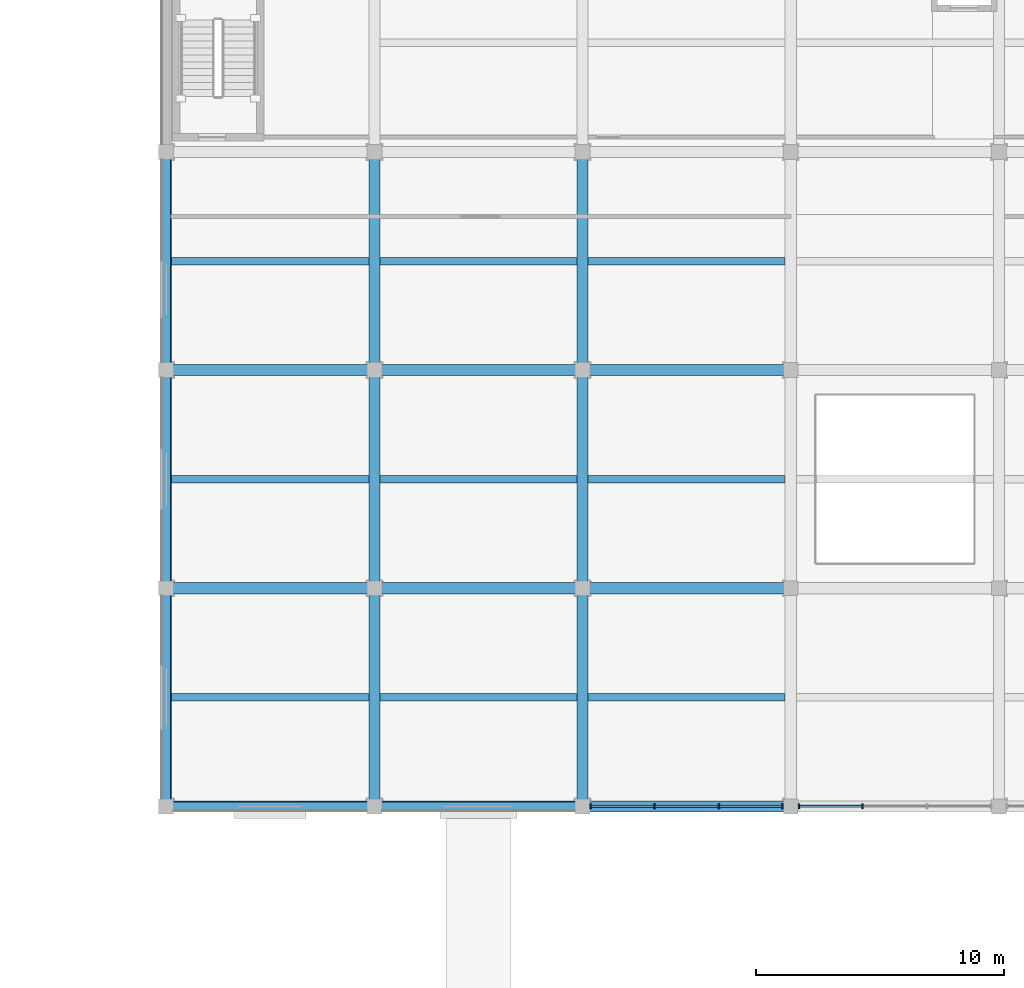
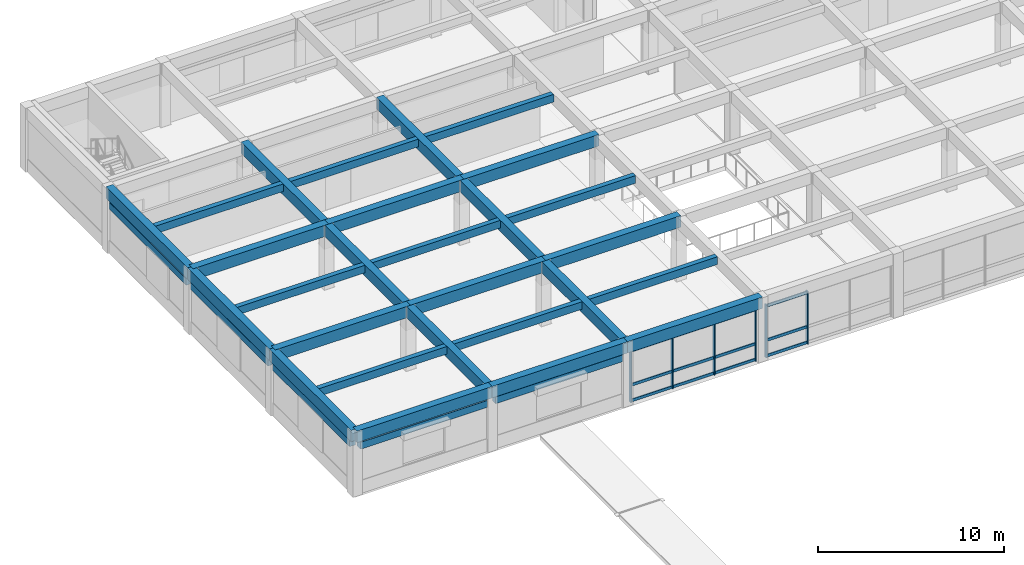
# One storey, part 12 of 46: 32 beams, 18 members, 2 elements without a shape of their own.
"""IFC4 building model written with IfcOpenShell, lengths in metres."""

from ifc_helpers import new_model, si_unit, direction, frame, origin, origin_2d, place, context, subcontext, project, spatial, rectangle, extrude, material, material_profile, profile_set, type_object, element, aggregate, save


model = new_model("IFC4")

# Units and contexts
model_context = context("Model", 3, precision=1e-05, world=origin(), true_north=direction((0.0, 1.0)))
body_context = subcontext(model_context, "Body", "Model", "MODEL_VIEW")
ifc_project = project(units=[si_unit("LENGTHUNIT", "METRE"), si_unit("AREAUNIT", "SQUARE_METRE"), si_unit("VOLUMEUNIT", "CUBIC_METRE"), si_unit("PLANEANGLEUNIT", "RADIAN"), si_unit("MASSUNIT", "GRAM", prefix="KILO")], contexts=[model_context])

# Site, building, storey
site_placement = place(None, origin())
site = spatial("IfcSite", under=ifc_project, at=site_placement, CompositionType="ELEMENT")
building_placement = place(site_placement, origin())
building = spatial("IfcBuilding", under=site, at=building_placement, Name="Kemercrest Conservatory and Botanical Centre", CompositionType="ELEMENT")
storey_placement = place(building_placement, frame((0.0, 0.0, 9.0)))
storey = spatial("IfcBuildingStorey", under=building, at=storey_placement, Name="L02", CompositionType="ELEMENT", Elevation=9.0)

# Beams
ifc_material_1 = material(Name="Concrete C40/50", Category="concrete")
ifc_material_profile_1 = material_profile(ifc_material_1, rectangle(XDim=0.449951171875, YDim=0.75, at=origin_2d()), Name="RC 450x750")
ifc_profile_set_1 = profile_set([ifc_material_profile_1], Name="Concrete C40/50")
beam_type_1 = type_object("IfcBeamType", Name="BM-RC75", PredefinedType="BEAM", material=ifc_profile_set_1)
beam_1_placement = place(storey_placement, frame((16.39990234375, 96.0, 3.824951171875), z_axis=(1.0, 0.0, 0.0), x_axis=(0.0, 1.0, 0.0)))
element("IfcBeam", 1, at=beam_1_placement, inside=storey, type_object=beam_type_1, Name="V3-L03 beam BM-RC75 L/02-03", PredefinedType="BEAM", context=body_context, shape_type="SweptSolid", body=[
    extrude(rectangle(XDim=0.449951171875, YDim=0.75, at=origin_2d()), origin(), (0.0, 0.0, 1.0), 8.400146484375),
])
beam_2_placement = place(storey_placement, frame((24.800048828125, 96.0, 3.824951171875), z_axis=(1.0, 0.0, 0.0), x_axis=(0.0, 1.0, 0.0)))
element("IfcBeam", 2, at=beam_2_placement, inside=storey, type_object=beam_type_1, Name="V3-L03 beam BM-RC75 L/03-04", PredefinedType="BEAM", context=body_context, shape_type="SweptSolid", body=[
    extrude(rectangle(XDim=0.449951171875, YDim=0.75, at=origin_2d()), origin(), (0.0, 0.0, 1.0), 8.39990234375),
])
for number, where, z_axis, x_axis, name in (
    (3, (33.199951171875, 96.0, 3.824951171875), (1.0, 0.0, 0.0), (0.0, 1.0, 0.0), "V3-L03 beam BM-RC75 L/04-05"),
    (4, (16.39990234375, 104.800048828125, 3.824951171875), (1.0, 0.0, 0.0), (0.0, 1.0, 0.0), "V3-L03 beam BM-RC75 M/02-03"),
):
    element("IfcBeam", number, at=place(storey_placement, frame(where, z_axis=z_axis, x_axis=x_axis)), inside=storey, type_object=beam_type_1, Name=name, PredefinedType="BEAM", context=body_context, shape_type="SweptSolid", body=[
        extrude(rectangle(XDim=0.449951171875, YDim=0.75, at=origin_2d()), origin(), (0.0, 0.0, 1.0), 8.400146484375),
    ])
beam_3_placement = place(storey_placement, frame((24.800048828125, 104.800048828125, 3.824951171875), z_axis=(1.0, 0.0, 0.0), x_axis=(0.0, 1.0, 0.0)))
element("IfcBeam", 5, at=beam_3_placement, inside=storey, type_object=beam_type_1, Name="V3-L03 beam BM-RC75 M/03-04", PredefinedType="BEAM", context=body_context, shape_type="SweptSolid", body=[
    extrude(rectangle(XDim=0.449951171875, YDim=0.75, at=origin_2d()), origin(), (0.0, 0.0, 1.0), 8.39990234375),
])
beam_4_placement = place(storey_placement, frame((33.199951171875, 104.800048828125, 3.824951171875), z_axis=(1.0, 0.0, 0.0), x_axis=(0.0, 1.0, 0.0)))
element("IfcBeam", 6, at=beam_4_placement, inside=storey, type_object=beam_type_1, Name="V3-L03 beam BM-RC75 M/04-05", PredefinedType="BEAM", context=body_context, shape_type="SweptSolid", body=[
    extrude(rectangle(XDim=0.449951171875, YDim=0.75, at=origin_2d()), origin(), (0.0, 0.0, 1.0), 8.400146484375),
])
for number, where, z_axis, x_axis, name in (
    (7, (24.800048828125, 87.199951171875, 3.824951171875), (0.0, 1.0, 0.0), (-1.0, 0.0, 0.0), "V3-L03 beam BM-RC75 03/K-L"),
    (8, (24.800048828125, 96.0, 3.824951171875), (0.0, 1.0, 0.0), (-1.0, 0.0, 0.0), "V3-L03 beam BM-RC75 03/L-M"),
    (9, (24.800048828125, 104.800048828125, 3.824951171875), (0.0, 1.0, 0.0), (-1.0, 0.0, 0.0), "V3-L03 beam BM-RC75 03/M-N"),
    (10, (33.199951171875, 87.199951171875, 3.824951171875), (0.0, 1.0, 0.0), (-1.0, 0.0, 0.0), "V3-L03 beam BM-RC75 04/K-L"),
    (11, (33.199951171875, 96.0, 3.824951171875), (0.0, 1.0, 0.0), (-1.0, 0.0, 0.0), "V3-L03 beam BM-RC75 04/L-M"),
    (12, (33.199951171875, 104.800048828125, 3.824951171875), (0.0, 1.0, 0.0), (-1.0, 0.0, 0.0), "V3-L03 beam BM-RC75 04/M-N"),
):
    element("IfcBeam", number, at=place(storey_placement, frame(where, z_axis=z_axis, x_axis=x_axis)), inside=storey, type_object=beam_type_1, Name=name, PredefinedType="BEAM", context=body_context, shape_type="SweptSolid", body=[
        extrude(rectangle(XDim=0.449951171875, YDim=0.75, at=origin_2d()), origin(), (0.0, 0.0, 1.0), 8.800048828125),
    ])

# Curtain wall, members
ifc_material_2 = material(Name="Thermally broken aluminium and triple low-e glazing", Category="aluminium")
curtain_wall_type_1 = type_object("IfcCurtainWallType", Name="CW-08", PredefinedType="USERDEFINED", material=ifc_material_2)
curtain_wall_1_placement = place(storey_placement, origin())
curtain_wall_1 = element("IfcCurtainWall", 13, at=curtain_wall_1_placement, inside=storey, type_object=curtain_wall_type_1, Name="Unitised curtain wall CW-08 (CW:L02:V3-037)", ObjectType="UNITISED CURTAIN WALL", PredefinedType="USERDEFINED")
ifc_material_3 = material(Name="Thermally broken anodized aluminium 6063-T6", Category="aluminium")
ifc_material_profile_2 = material_profile(ifc_material_3, rectangle(XDim=0.199951171875, YDim=0.06494140625, at=origin_2d()), Name="AL MULLION 65x200")
ifc_profile_set_2 = profile_set([ifc_material_profile_2], Name="Thermally broken anodized aluminium 6063-T6")
member_type_1 = type_object("IfcMemberType", Name="CW-M200", PredefinedType="MULLION", material=ifc_profile_set_2)
member_1_placement = place(storey_placement, frame((33.527587890625, 87.199951171875, 0.0), z_axis=(0.0, 0.0, 1.0), x_axis=(0.0, 1.0, 0.0)))
member_1 = element("IfcMember", 14, at=member_1_placement, type_object=member_type_1, Name="CW-08 mullion 1", PredefinedType="MULLION", context=body_context, shape_type="SweptSolid", body=[
    extrude(rectangle(XDim=0.199951171875, YDim=0.06494140625, at=origin_2d()), origin(), (0.0, 0.0, 1.0), 3.455078125),
])
member_2_placement = place(storey_placement, frame((36.098388671875, 87.199951171875, 0.0), z_axis=(0.0, 0.0, 1.0), x_axis=(0.0, 1.0, 0.0)))
member_2 = element("IfcMember", 15, at=member_2_placement, type_object=member_type_1, Name="CW-08 mullion 2", PredefinedType="MULLION", context=body_context, shape_type="SweptSolid", body=[
    extrude(rectangle(XDim=0.199951171875, YDim=0.06494140625, at=origin_2d()), origin(), (0.0, 0.0, 1.0), 3.455078125),
])
member_3_placement = place(storey_placement, frame((38.70166015625, 87.199951171875, 0.0), z_axis=(0.0, 0.0, 1.0), x_axis=(0.0, 1.0, 0.0)))
member_3 = element("IfcMember", 16, at=member_3_placement, type_object=member_type_1, Name="CW-08 mullion 3", PredefinedType="MULLION", context=body_context, shape_type="SweptSolid", body=[
    extrude(rectangle(XDim=0.199951171875, YDim=0.06494140625, at=origin_2d()), origin(), (0.0, 0.0, 1.0), 3.455078125),
])
member_4_placement = place(storey_placement, frame((41.2724609375, 87.199951171875, 0.0), z_axis=(0.0, 0.0, 1.0), x_axis=(0.0, 1.0, 0.0)))
member_4 = element("IfcMember", 17, at=member_4_placement, type_object=member_type_1, Name="CW-08 mullion 4", PredefinedType="MULLION", context=body_context, shape_type="SweptSolid", body=[
    extrude(rectangle(XDim=0.199951171875, YDim=0.06494140625, at=origin_2d()), origin(), (0.0, 0.0, 1.0), 3.455078125),
])

curtain_wall_type_2 = type_object("IfcCurtainWallType", Name="CW-09", PredefinedType="USERDEFINED", material=ifc_material_2)
curtain_wall_2_placement = place(storey_placement, origin())
curtain_wall_2 = element("IfcCurtainWall", 18, at=curtain_wall_2_placement, inside=storey, type_object=curtain_wall_type_2, Name="Unitised curtain wall CW-09 (CW:L02:V3-038)", ObjectType="UNITISED CURTAIN WALL", PredefinedType="USERDEFINED")
member_5_placement = place(storey_placement, frame((41.927490234375, 87.199951171875, 0.0), z_axis=(0.0, 0.0, 1.0), x_axis=(0.0, 1.0, 0.0)))
member_5 = element("IfcMember", 19, at=member_5_placement, type_object=member_type_1, Name="CW-09 mullion 1", PredefinedType="MULLION", context=body_context, shape_type="SweptSolid", body=[
    extrude(rectangle(XDim=0.199951171875, YDim=0.06494140625, at=origin_2d()), origin(), (0.0, 0.0, 1.0), 3.455078125),
])
member_6_placement = place(storey_placement, frame((44.498291015625, 87.199951171875, 0.0), z_axis=(0.0, 0.0, 1.0), x_axis=(0.0, 1.0, 0.0)))
member_6 = element("IfcMember", 20, at=member_6_placement, type_object=member_type_1, Name="CW-09 mullion 2", PredefinedType="MULLION", context=body_context, shape_type="SweptSolid", body=[
    extrude(rectangle(XDim=0.199951171875, YDim=0.06494140625, at=origin_2d()), origin(), (0.0, 0.0, 1.0), 3.455078125),
])

# Member
ifc_material_profile_3 = material_profile(ifc_material_3, rectangle(XDim=0.074951171875, YDim=0.179931640625, at=origin_2d()), Name="AL TRANSOM 75x180")
ifc_profile_set_3 = profile_set([ifc_material_profile_3], Name="Thermally broken anodized aluminium 6063-T6")
member_type_2 = type_object("IfcMemberType", Name="CW-T180", PredefinedType="USERDEFINED", material=ifc_profile_set_3)
member_7_placement = place(storey_placement, frame((33.56005859375, 87.199951171875, 0.090087890625), z_axis=(1.0, 0.0, 0.0), x_axis=(0.0, 1.0, 0.0)))
member_7 = element("IfcMember", 21, at=member_7_placement, type_object=member_type_2, Name="CW-08 transom 1.1", ObjectType="TRANSOM", PredefinedType="USERDEFINED", context=body_context, shape_type="SweptSolid", body=[
    extrude(rectangle(XDim=0.074951171875, YDim=0.179931640625, at=origin_2d()), origin(), (0.0, 0.0, 1.0), 2.505859375),
])

member_8_placement = place(storey_placement, frame((33.56005859375, 87.199951171875, 1.1201171875), z_axis=(1.0, 0.0, 0.0), x_axis=(0.0, 1.0, 0.0)))
member_8 = element("IfcMember", 22, at=member_8_placement, type_object=member_type_2, Name="CW-08 transom 1.2", ObjectType="TRANSOM", PredefinedType="USERDEFINED", context=body_context, shape_type="SweptSolid", body=[
    extrude(rectangle(XDim=0.074951171875, YDim=0.179931640625, at=origin_2d()), origin(), (0.0, 0.0, 1.0), 2.505859375),
])

member_9_placement = place(storey_placement, frame((33.56005859375, 87.199951171875, 3.364990234375), z_axis=(1.0, 0.0, 0.0), x_axis=(0.0, 1.0, 0.0)))
member_9 = element("IfcMember", 23, at=member_9_placement, type_object=member_type_2, Name="CW-08 transom 1.3", ObjectType="TRANSOM", PredefinedType="USERDEFINED", context=body_context, shape_type="SweptSolid", body=[
    extrude(rectangle(XDim=0.074951171875, YDim=0.179931640625, at=origin_2d()), origin(), (0.0, 0.0, 1.0), 2.505859375),
])

member_10_placement = place(storey_placement, frame((36.130859375, 87.199951171875, 0.090087890625), z_axis=(1.0, 0.0, 0.0), x_axis=(0.0, 1.0, 0.0)))
member_10 = element("IfcMember", 24, at=member_10_placement, type_object=member_type_2, Name="CW-08 transom 2.1", ObjectType="TRANSOM", PredefinedType="USERDEFINED", context=body_context, shape_type="SweptSolid", body=[
    extrude(rectangle(XDim=0.074951171875, YDim=0.179931640625, at=origin_2d()), origin(), (0.0, 0.0, 1.0), 2.538330078125),
])

member_11_placement = place(storey_placement, frame((36.130859375, 87.199951171875, 1.1201171875), z_axis=(1.0, 0.0, 0.0), x_axis=(0.0, 1.0, 0.0)))
member_11 = element("IfcMember", 25, at=member_11_placement, type_object=member_type_2, Name="CW-08 transom 2.2", ObjectType="TRANSOM", PredefinedType="USERDEFINED", context=body_context, shape_type="SweptSolid", body=[
    extrude(rectangle(XDim=0.074951171875, YDim=0.179931640625, at=origin_2d()), origin(), (0.0, 0.0, 1.0), 2.538330078125),
])

member_12_placement = place(storey_placement, frame((36.130859375, 87.199951171875, 3.364990234375), z_axis=(1.0, 0.0, 0.0), x_axis=(0.0, 1.0, 0.0)))
member_12 = element("IfcMember", 26, at=member_12_placement, type_object=member_type_2, Name="CW-08 transom 2.3", ObjectType="TRANSOM", PredefinedType="USERDEFINED", context=body_context, shape_type="SweptSolid", body=[
    extrude(rectangle(XDim=0.074951171875, YDim=0.179931640625, at=origin_2d()), origin(), (0.0, 0.0, 1.0), 2.538330078125),
])

member_13_placement = place(storey_placement, frame((38.734130859375, 87.199951171875, 0.090087890625), z_axis=(1.0, 0.0, 0.0), x_axis=(0.0, 1.0, 0.0)))
member_13 = element("IfcMember", 27, at=member_13_placement, type_object=member_type_2, Name="CW-08 transom 3.1", ObjectType="TRANSOM", PredefinedType="USERDEFINED", context=body_context, shape_type="SweptSolid", body=[
    extrude(rectangle(XDim=0.074951171875, YDim=0.179931640625, at=origin_2d()), origin(), (0.0, 0.0, 1.0), 2.505859375),
])

member_14_placement = place(storey_placement, frame((38.734130859375, 87.199951171875, 1.1201171875), z_axis=(1.0, 0.0, 0.0), x_axis=(0.0, 1.0, 0.0)))
member_14 = element("IfcMember", 28, at=member_14_placement, type_object=member_type_2, Name="CW-08 transom 3.2", ObjectType="TRANSOM", PredefinedType="USERDEFINED", context=body_context, shape_type="SweptSolid", body=[
    extrude(rectangle(XDim=0.074951171875, YDim=0.179931640625, at=origin_2d()), origin(), (0.0, 0.0, 1.0), 2.505859375),
])

member_15_placement = place(storey_placement, frame((38.734130859375, 87.199951171875, 3.364990234375), z_axis=(1.0, 0.0, 0.0), x_axis=(0.0, 1.0, 0.0)))
member_15 = element("IfcMember", 29, at=member_15_placement, type_object=member_type_2, Name="CW-08 transom 3.3", ObjectType="TRANSOM", PredefinedType="USERDEFINED", context=body_context, shape_type="SweptSolid", body=[
    extrude(rectangle(XDim=0.074951171875, YDim=0.179931640625, at=origin_2d()), origin(), (0.0, 0.0, 1.0), 2.505859375),
])

aggregate(curtain_wall_1, [member_1, member_2, member_3, member_4, member_7, member_8, member_9, member_10, member_11, member_12, member_13, member_14, member_15])

member_16_placement = place(storey_placement, frame((41.9599609375, 87.199951171875, 0.090087890625), z_axis=(1.0, 0.0, 0.0), x_axis=(0.0, 1.0, 0.0)))
member_16 = element("IfcMember", 30, at=member_16_placement, type_object=member_type_2, Name="CW-09 transom 1.1", ObjectType="TRANSOM", PredefinedType="USERDEFINED", context=body_context, shape_type="SweptSolid", body=[
    extrude(rectangle(XDim=0.074951171875, YDim=0.179931640625, at=origin_2d()), origin(), (0.0, 0.0, 1.0), 2.505859375),
])

member_17_placement = place(storey_placement, frame((41.9599609375, 87.199951171875, 1.1201171875), z_axis=(1.0, 0.0, 0.0), x_axis=(0.0, 1.0, 0.0)))
member_17 = element("IfcMember", 31, at=member_17_placement, type_object=member_type_2, Name="CW-09 transom 1.2", ObjectType="TRANSOM", PredefinedType="USERDEFINED", context=body_context, shape_type="SweptSolid", body=[
    extrude(rectangle(XDim=0.074951171875, YDim=0.179931640625, at=origin_2d()), origin(), (0.0, 0.0, 1.0), 2.505859375),
])

member_18_placement = place(storey_placement, frame((41.9599609375, 87.199951171875, 3.364990234375), z_axis=(1.0, 0.0, 0.0), x_axis=(0.0, 1.0, 0.0)))
member_18 = element("IfcMember", 32, at=member_18_placement, type_object=member_type_2, Name="CW-09 transom 1.3", ObjectType="TRANSOM", PredefinedType="USERDEFINED", context=body_context, shape_type="SweptSolid", body=[
    extrude(rectangle(XDim=0.074951171875, YDim=0.179931640625, at=origin_2d()), origin(), (0.0, 0.0, 1.0), 2.505859375),
])

aggregate(curtain_wall_2, [member_5, member_6, member_16, member_17, member_18])

# Beams
ifc_material_profile_4 = material_profile(ifc_material_1, rectangle(XDim=0.300048828125, YDim=0.5, at=origin_2d()), Name="RC 300x500")
ifc_profile_set_4 = profile_set([ifc_material_profile_4], Name="Concrete C40/50")
beam_type_2 = type_object("IfcBeamType", Name="JS-RC50", PredefinedType="JOIST", material=ifc_profile_set_4)
beam_5_placement = place(storey_placement, frame((16.625, 91.60009765625, 3.949951171875), z_axis=(1.0, 0.0, 0.0), x_axis=(0.0, 1.0, 0.0)))
element("IfcBeam", 33, at=beam_5_placement, inside=storey, type_object=beam_type_2, Name="V3-L03 secondary joist JS-RC50", PredefinedType="JOIST", context=body_context, shape_type="SweptSolid", body=[
    extrude(rectangle(XDim=0.300048828125, YDim=0.5, at=origin_2d()), origin(), (0.0, 0.0, 1.0), 7.949951171875),
])
beam_6_placement = place(storey_placement, frame((25.02490234375, 91.60009765625, 3.949951171875), z_axis=(1.0, 0.0, 0.0), x_axis=(0.0, 1.0, 0.0)))
element("IfcBeam", 34, at=beam_6_placement, inside=storey, type_object=beam_type_2, Name="V3-L03 secondary joist JS-RC50", PredefinedType="JOIST", context=body_context, shape_type="SweptSolid", body=[
    extrude(rectangle(XDim=0.300048828125, YDim=0.5, at=origin_2d()), origin(), (0.0, 0.0, 1.0), 7.9501953125),
])
for number, where, z_axis, x_axis, name in (
    (35, (33.425048828125, 91.60009765625, 3.949951171875), (1.0, 0.0, 0.0), (0.0, 1.0, 0.0), "V3-L03 secondary joist JS-RC50"),
    (36, (16.625, 100.39990234375, 3.949951171875), (1.0, 0.0, 0.0), (0.0, 1.0, 0.0), "V3-L03 secondary joist JS-RC50"),
):
    element("IfcBeam", number, at=place(storey_placement, frame(where, z_axis=z_axis, x_axis=x_axis)), inside=storey, type_object=beam_type_2, Name=name, PredefinedType="JOIST", context=body_context, shape_type="SweptSolid", body=[
        extrude(rectangle(XDim=0.300048828125, YDim=0.5, at=origin_2d()), origin(), (0.0, 0.0, 1.0), 7.949951171875),
    ])
beam_7_placement = place(storey_placement, frame((25.02490234375, 100.39990234375, 3.949951171875), z_axis=(1.0, 0.0, 0.0), x_axis=(0.0, 1.0, 0.0)))
element("IfcBeam", 37, at=beam_7_placement, inside=storey, type_object=beam_type_2, Name="V3-L03 secondary joist JS-RC50", PredefinedType="JOIST", context=body_context, shape_type="SweptSolid", body=[
    extrude(rectangle(XDim=0.300048828125, YDim=0.5, at=origin_2d()), origin(), (0.0, 0.0, 1.0), 7.9501953125),
])
for number, where, z_axis, x_axis, name in (
    (38, (33.425048828125, 100.39990234375, 3.949951171875), (1.0, 0.0, 0.0), (0.0, 1.0, 0.0), "V3-L03 secondary joist JS-RC50"),
    (39, (16.625, 109.199951171875, 3.949951171875), (1.0, 0.0, 0.0), (0.0, 1.0, 0.0), "V3-L03 secondary joist JS-RC50"),
):
    element("IfcBeam", number, at=place(storey_placement, frame(where, z_axis=z_axis, x_axis=x_axis)), inside=storey, type_object=beam_type_2, Name=name, PredefinedType="JOIST", context=body_context, shape_type="SweptSolid", body=[
        extrude(rectangle(XDim=0.300048828125, YDim=0.5, at=origin_2d()), origin(), (0.0, 0.0, 1.0), 7.949951171875),
    ])
beam_8_placement = place(storey_placement, frame((25.02490234375, 109.199951171875, 3.949951171875), z_axis=(1.0, 0.0, 0.0), x_axis=(0.0, 1.0, 0.0)))
element("IfcBeam", 40, at=beam_8_placement, inside=storey, type_object=beam_type_2, Name="V3-L03 secondary joist JS-RC50", PredefinedType="JOIST", context=body_context, shape_type="SweptSolid", body=[
    extrude(rectangle(XDim=0.300048828125, YDim=0.5, at=origin_2d()), origin(), (0.0, 0.0, 1.0), 7.9501953125),
])
beam_9_placement = place(storey_placement, frame((33.425048828125, 109.199951171875, 3.949951171875), z_axis=(1.0, 0.0, 0.0), x_axis=(0.0, 1.0, 0.0)))
element("IfcBeam", 41, at=beam_9_placement, inside=storey, type_object=beam_type_2, Name="V3-L03 secondary joist JS-RC50", PredefinedType="JOIST", context=body_context, shape_type="SweptSolid", body=[
    extrude(rectangle(XDim=0.300048828125, YDim=0.5, at=origin_2d()), origin(), (0.0, 0.0, 1.0), 7.949951171875),
])
ifc_material_4 = material(Name="Precast concrete C40/50", Category="concrete")
ifc_material_profile_5 = material_profile(ifc_material_4, rectangle(XDim=0.35009765625, YDim=0.449951171875, at=origin_2d()), Name="RC 350x450")
ifc_profile_set_5 = profile_set([ifc_material_profile_5], Name="Precast concrete C40/50")
beam_type_3 = type_object("IfcBeamType", Name="LN-RC47", PredefinedType="LINTEL", material=ifc_profile_set_5)
beam_10_placement = place(storey_placement, frame((16.64990234375, 87.199951171875, 3.125), z_axis=(1.0, 0.0, 0.0), x_axis=(0.0, 1.0, 0.0)))
element("IfcBeam", 42, at=beam_10_placement, inside=storey, type_object=beam_type_3, Name="Precast arched window lintel (WIN:L02:EXT-117)", PredefinedType="LINTEL", context=body_context, shape_type="SweptSolid", body=[
    extrude(rectangle(XDim=0.35009765625, YDim=0.449951171875, at=origin_2d()), origin(), (0.0, 0.0, 1.0), 7.900146484375),
])
beam_11_placement = place(storey_placement, frame((25.050048828125, 87.199951171875, 3.175048828125), z_axis=(1.0, 0.0, 0.0), x_axis=(0.0, 1.0, 0.0)))
element("IfcBeam", 43, at=beam_11_placement, inside=storey, type_object=beam_type_3, Name="Precast arched window lintel (WIN:L02:EXT-118)", PredefinedType="LINTEL", context=body_context, shape_type="SweptSolid", body=[
    extrude(rectangle(XDim=0.35009765625, YDim=0.449951171875, at=origin_2d()), origin(), (0.0, 0.0, 1.0), 7.89990234375),
])
for number, where, z_axis, x_axis, name in (
    (44, (16.39990234375, 113.35009765625, 3.10498046875), (0.0, -1.0, 0.0), (1.0, 0.0, 0.0), "Precast arched window lintel (WIN:L02:EXT-135)"),
    (45, (16.39990234375, 104.550048828125, 3.14501953125), (0.0, -1.0, 0.0), (1.0, 0.0, 0.0), "Precast arched window lintel (WIN:L02:EXT-136)"),
    (46, (16.39990234375, 95.75, 3.18505859375), (0.0, -1.0, 0.0), (1.0, 0.0, 0.0), "Precast arched window lintel (WIN:L02:EXT-137)"),
):
    element("IfcBeam", number, at=place(storey_placement, frame(where, z_axis=z_axis, x_axis=x_axis)), inside=storey, type_object=beam_type_3, Name=name, PredefinedType="LINTEL", context=body_context, shape_type="SweptSolid", body=[
        extrude(rectangle(XDim=0.35009765625, YDim=0.449951171875, at=origin_2d()), origin(), (0.0, 0.0, 1.0), 8.300048828125),
    ])
ifc_material_profile_6 = material_profile(ifc_material_1, rectangle(XDim=0.449951171875, YDim=0.75, at=origin_2d()), Name="RC 450x750")
ifc_profile_set_6 = profile_set([ifc_material_profile_6], Name="Concrete C40/50")
beam_type_4 = type_object("IfcBeamType", Name="SP-RC75", PredefinedType="SPANDREL", material=ifc_profile_set_6)
beam_12_placement = place(storey_placement, frame((16.39990234375, 87.199951171875, 3.824951171875), z_axis=(1.0, 0.0, 0.0), x_axis=(0.0, 1.0, 0.0)))
element("IfcBeam", 47, at=beam_12_placement, inside=storey, type_object=beam_type_4, Name="V3-L03 beam SP-RC75 K/02-03", PredefinedType="SPANDREL", context=body_context, shape_type="SweptSolid", body=[
    extrude(rectangle(XDim=0.449951171875, YDim=0.75, at=origin_2d()), origin(), (0.0, 0.0, 1.0), 8.400146484375),
])
beam_13_placement = place(storey_placement, frame((24.800048828125, 87.199951171875, 3.824951171875), z_axis=(1.0, 0.0, 0.0), x_axis=(0.0, 1.0, 0.0)))
element("IfcBeam", 48, at=beam_13_placement, inside=storey, type_object=beam_type_4, Name="V3-L03 beam SP-RC75 K/03-04", PredefinedType="SPANDREL", context=body_context, shape_type="SweptSolid", body=[
    extrude(rectangle(XDim=0.449951171875, YDim=0.75, at=origin_2d()), origin(), (0.0, 0.0, 1.0), 8.39990234375),
])
beam_14_placement = place(storey_placement, frame((33.199951171875, 87.199951171875, 3.824951171875), z_axis=(1.0, 0.0, 0.0), x_axis=(0.0, 1.0, 0.0)))
element("IfcBeam", 49, at=beam_14_placement, inside=storey, type_object=beam_type_4, Name="V3-L03 beam SP-RC75 K/04-05", PredefinedType="SPANDREL", context=body_context, shape_type="SweptSolid", body=[
    extrude(rectangle(XDim=0.449951171875, YDim=0.75, at=origin_2d()), origin(), (0.0, 0.0, 1.0), 8.400146484375),
])
for number, where, z_axis, x_axis, name in (
    (50, (16.39990234375, 87.199951171875, 3.824951171875), (0.0, 1.0, 0.0), (-1.0, 0.0, 0.0), "V3-L03 beam SP-RC75 02/K-L"),
    (51, (16.39990234375, 96.0, 3.824951171875), (0.0, 1.0, 0.0), (-1.0, 0.0, 0.0), "V3-L03 beam SP-RC75 02/L-M"),
    (52, (16.39990234375, 104.800048828125, 3.824951171875), (0.0, 1.0, 0.0), (-1.0, 0.0, 0.0), "V3-L03 beam SP-RC75 02/M-N"),
):
    element("IfcBeam", number, at=place(storey_placement, frame(where, z_axis=z_axis, x_axis=x_axis)), inside=storey, type_object=beam_type_4, Name=name, PredefinedType="SPANDREL", context=body_context, shape_type="SweptSolid", body=[
        extrude(rectangle(XDim=0.449951171875, YDim=0.75, at=origin_2d()), origin(), (0.0, 0.0, 1.0), 8.800048828125),
    ])

save(model, "model.ifc")
